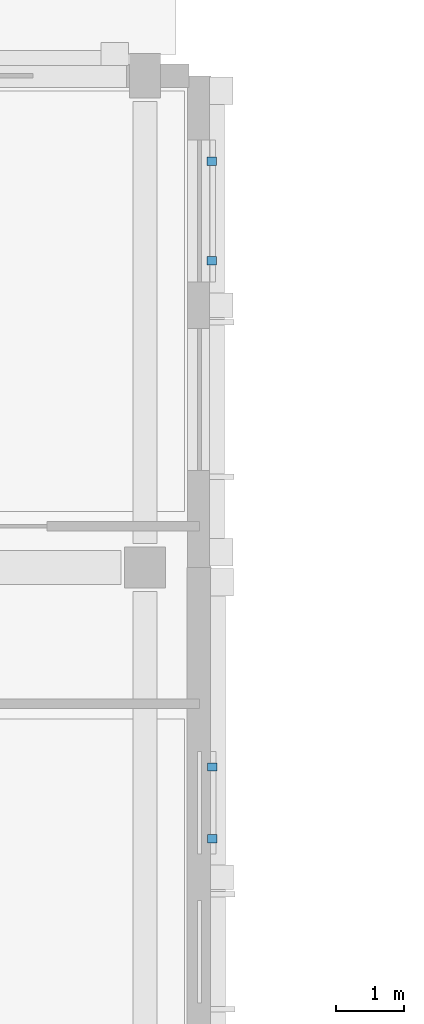
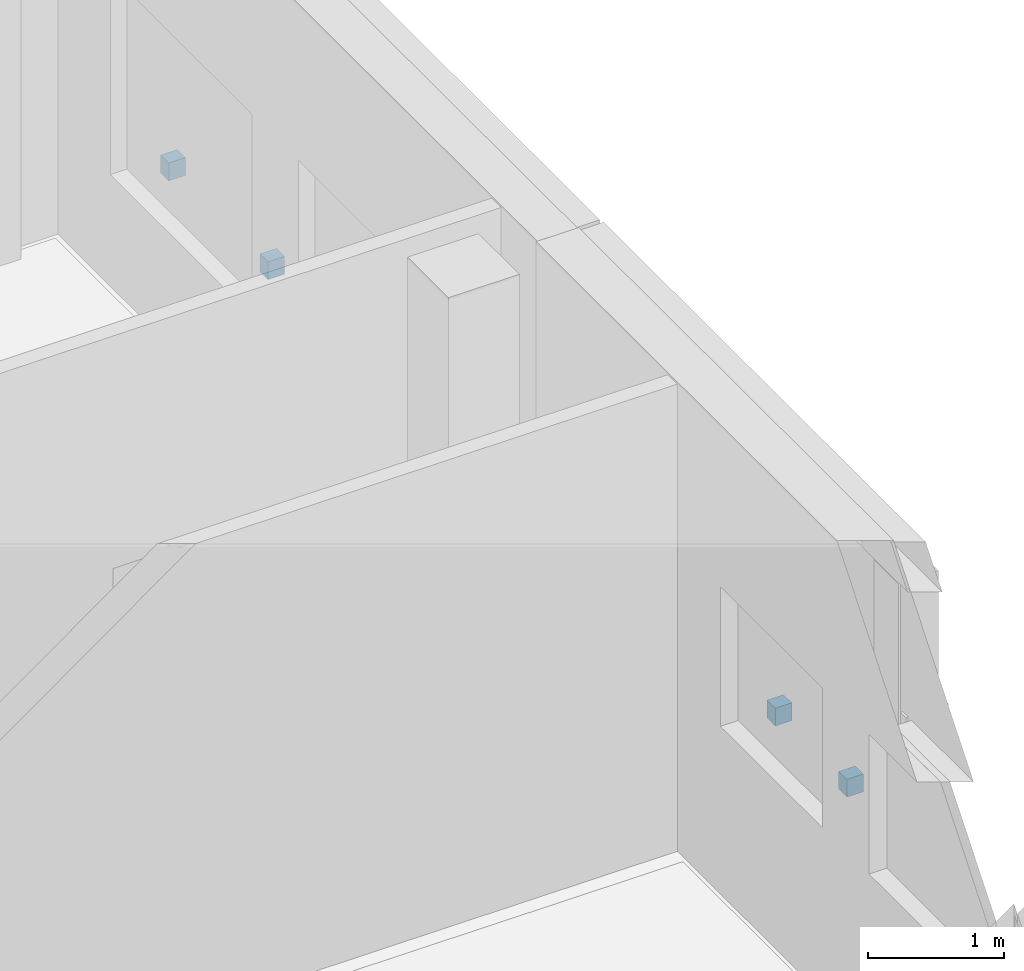
# One storey, part 90 of 104: 4 discrete accessories.
"""IFC4 building model written with IfcOpenShell, lengths in metres."""

from ifc_helpers import new_model, si_unit, direction, frame, origin, origin_2d, place, context, subcontext, project, spatial, rectangle, extrude, material, type_object, element, save


model = new_model("IFC4")

# Units and contexts
model_context = context("Model", 3, precision=1e-05, world=origin(), true_north=direction((0.0, 1.0)))
body_context = subcontext(model_context, "Body", "Model", "MODEL_VIEW")
ifc_project = project(units=[si_unit("LENGTHUNIT", "METRE"), si_unit("AREAUNIT", "SQUARE_METRE"), si_unit("VOLUMEUNIT", "CUBIC_METRE"), si_unit("PLANEANGLEUNIT", "RADIAN"), si_unit("MASSUNIT", "GRAM", prefix="KILO")], contexts=[model_context])

# Site, building, storey
site_placement = place(None, origin())
site = spatial("IfcSite", under=ifc_project, at=site_placement, CompositionType="ELEMENT")
building_placement = place(site_placement, origin())
building = spatial("IfcBuilding", under=site, at=building_placement, Name="Hawrajan Terrace Health Centre", CompositionType="ELEMENT")
storey_placement = place(building_placement, origin())
storey = spatial("IfcBuildingStorey", under=building, at=storey_placement, Name="L00", CompositionType="ELEMENT", Elevation=0.0)

# Discrete accessories
ifc_material = material(Name="Steel S355", Category="steel")
discrete_accessory_type = type_object("IfcDiscreteAccessoryType", Name="FacadeBracket_S355", PredefinedType="BRACKET", material=ifc_material)
for number, where, z_axis, x_axis, name in (
    (1, (71.985107421875, 48.625, 1.56982421875), (0.0, 0.0, 1.0), (0.0, 1.0, 0.0), "Roshan support bracket BRK-L00-029-1"),
    (2, (71.985107421875, 49.675048828125, 1.56982421875), (0.0, 0.0, 1.0), (0.0, 1.0, 0.0), "Roshan support bracket BRK-L00-029-2"),
    (3, (71.97509765625, 57.092041015625, 1.06982421875), (0.0, 0.0, 1.0), (0.0, 1.0, 0.0), "Roshan support bracket BRK-L00-032-1"),
    (4, (71.97509765625, 58.548095703125, 1.06982421875), (0.0, 0.0, 1.0), (0.0, 1.0, 0.0), "Roshan support bracket BRK-L00-032-2"),
):
    element("IfcDiscreteAccessory", number, at=place(storey_placement, frame(where, z_axis=z_axis, x_axis=x_axis)), inside=storey, type_object=discrete_accessory_type, Name=name, PredefinedType="BRACKET", context=body_context, shape_type="SweptSolid", body=[
        extrude(rectangle(XDim=0.1201171875, YDim=0.139892578125, at=origin_2d()), origin(), (0.0, 0.0, 1.0), 0.159912109375),
    ])

save(model, "model.ifc")
